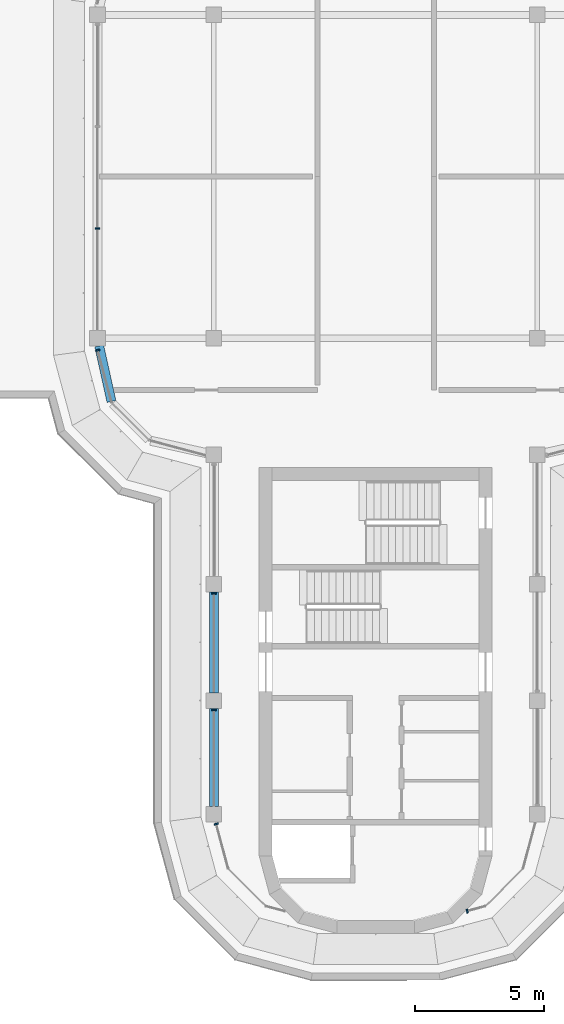
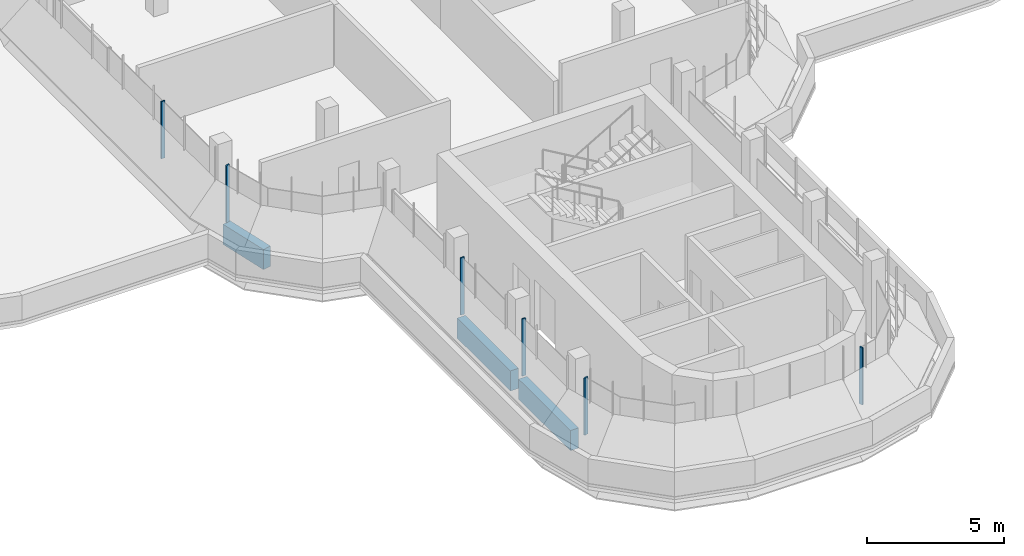
# One storey, part 2 of 13: 6 members, 3 beams, 5 elements without a shape of their own.
"""IFC4 building model written with IfcOpenShell, lengths in metres."""

import ifcopenshell
import ifcopenshell.guid

model = None  # the IFC model being written
_history = None  # IfcOwnerHistory: only IFC2X3 demands one
_inside = {}  # id of a spatial element -> (the spatial element, [elements in it])
_under = {}  # id of a project, library or spatial element -> (it, [spatial elements below it])
_declared = {}  # id of a project -> (the project, [libraries it declares])
_typed = {}  # id of a type object -> (the type object, [elements of that type])
_made_of = {}  # id of a material, layer set ... -> (it, [elements and type objects made of it])


def new_model(schema):
    """Start an empty IFC model of exactly this schema.

    Asked for "IFC4X3", IfcOpenShell would pick the latest addendum, in which some entities
    have other attributes; the version numbers below select the first issue.
    IFC2X3 requires an IfcOwnerHistory on every rooted entity: one is made here for all.
    """
    global model, _history
    if schema == "IFC4X3":
        model = ifcopenshell.file(schema_version=(4, 3, 0, 0))
    else:
        model = ifcopenshell.file(schema=schema)
    _inside.clear()
    _under.clear()
    _declared.clear()
    _typed.clear()
    _made_of.clear()
    _history = None
    if model.schema == "IFC2X3":
        org = make("IfcOrganization", Name="unknown")
        user = make(
            "IfcPersonAndOrganization",
            ThePerson=make("IfcPerson", FamilyName="unknown"),
            TheOrganization=org,
        )
        app = make(
            "IfcApplication",
            ApplicationDeveloper=org,
            Version="unknown",
            ApplicationFullName="unknown",
            ApplicationIdentifier="unknown",
        )
        _history = make(
            "IfcOwnerHistory",
            OwningUser=user,
            OwningApplication=app,
            ChangeAction="ADDED",
            CreationDate=0,
        )
    return model


def make(cls, **values):
    """One entity of the class cls with the attributes given. An attribute that is None is left unset."""
    return model.create_entity(
        cls, **{name: value for name, value in values.items() if value is not None}
    )


def rooted(cls, **values):
    """An entity with a GlobalId (a new one), such as an element, a storey or a relation."""
    return make(cls, GlobalId=ifcopenshell.guid.new(), OwnerHistory=_history, **values)


def si_unit(unit_type, name, prefix=None):
    """IfcSIUnit, for example si_unit("LENGTHUNIT", "METRE", prefix="MILLI")."""
    return make("IfcSIUnit", UnitType=unit_type, Prefix=prefix, Name=name)


def assignment(units):
    """IfcUnitAssignment: the units of a project."""
    return None if units is None else make("IfcUnitAssignment", Units=units)


def point(xyz):
    """IfcCartesianPoint."""
    return None if xyz is None else make("IfcCartesianPoint", Coordinates=xyz)


def direction(xyz):
    """IfcDirection."""
    return None if xyz is None else make("IfcDirection", DirectionRatios=xyz)


def frame(location, z_axis=None, x_axis=None):
    """IfcAxis2Placement3D, a coordinate frame: its origin and axes. An axis left out is left unset."""
    return make(
        "IfcAxis2Placement3D",
        Location=point(location),
        Axis=direction(z_axis),
        RefDirection=direction(x_axis),
    )


def frame_2d(location, x_axis=None):
    """IfcAxis2Placement2D, a coordinate frame in the plane: its origin and x axis."""
    return make(
        "IfcAxis2Placement2D", Location=point(location), RefDirection=direction(x_axis)
    )


def origin():
    """The frame at (0, 0, 0) with its axes left unset."""
    return frame((0.0, 0.0, 0.0))


def origin_2d():
    """The frame at (0, 0) in the plane with its x axis left unset."""
    return frame_2d((0.0, 0.0))


def place(relative_to, where):
    """IfcLocalPlacement: puts the frame where relative to a parent placement (None: the world)."""
    return make(
        "IfcLocalPlacement", PlacementRelTo=relative_to, RelativePlacement=where
    )


def context(
    kind, dimensions, precision=None, world=None, true_north=None, identifier=None
):
    """IfcGeometricRepresentationContext, for example the 3D "Model" context."""
    return make(
        "IfcGeometricRepresentationContext",
        ContextIdentifier=identifier,
        ContextType=kind,
        CoordinateSpaceDimension=dimensions,
        Precision=precision,
        WorldCoordinateSystem=world,
        TrueNorth=true_north,
    )


def subcontext(parent, identifier, kind, view, scale=None):
    """IfcGeometricRepresentationSubContext, for example "Body" below "Model"."""
    return make(
        "IfcGeometricRepresentationSubContext",
        ContextIdentifier=identifier,
        ContextType=kind,
        ParentContext=parent,
        TargetScale=scale,
        TargetView=view,
    )


def project(units=None, contexts=None):
    """IfcProject with its units and contexts."""
    return rooted(
        "IfcProject",
        Name="project",
        RepresentationContexts=contexts,
        UnitsInContext=assignment(units),
    )


def spatial(cls, under=None, at=None, **own):
    """A site, building, storey or space (cls), placed at a placement, below another one or the project."""
    s = rooted(cls, ObjectPlacement=at, **own)
    if under is not None:
        _under.setdefault(under.id(), (under, []))[1].append(s)
    return s


def polyline(points):
    """IfcPolyline through the points."""
    return make("IfcPolyline", Points=[point(p) for p in points])


def profile(cls, at=None, kind="AREA", **sizes):
    """A parametric profile (cls). Its sizes go by their IFC names, for example OverallWidth=200.0."""
    return make(cls, ProfileType=kind, Position=at, **sizes)


def rectangle(**sizes):
    """IfcRectangleProfileDef."""
    return profile("IfcRectangleProfileDef", **sizes)


def outline(outer, holes=None, kind="AREA"):
    """IfcArbitraryClosedProfileDef: a profile drawn as a closed curve; with holes, ...WithVoids."""
    if holes is None:
        return make("IfcArbitraryClosedProfileDef", ProfileType=kind, OuterCurve=outer)
    return make(
        "IfcArbitraryProfileDefWithVoids",
        ProfileType=kind,
        OuterCurve=outer,
        InnerCurves=holes,
    )


def extrude(swept, where, along, depth):
    """IfcExtrudedAreaSolid: the profile swept, set in the frame where, extruded along a direction by depth."""
    return make(
        "IfcExtrudedAreaSolid",
        SweptArea=swept,
        Position=where,
        ExtrudedDirection=direction(along),
        Depth=depth,
    )


def shape(context_of_items, identifier, shape_type, items):
    """IfcShapeRepresentation: the items that make up one representation, for example the "Body"."""
    return make(
        "IfcShapeRepresentation",
        ContextOfItems=context_of_items,
        RepresentationIdentifier=identifier,
        RepresentationType=shape_type,
        Items=items,
    )


def source(mapping_origin, context_of_items, identifier, shape_type, items):
    """IfcRepresentationMap: a shape defined once, which mapped items show again and again."""
    return make(
        "IfcRepresentationMap",
        MappingOrigin=mapping_origin,
        MappedRepresentation=shape(context_of_items, identifier, shape_type, items),
    )


def transform(
    local_origin,
    x_axis=None,
    y_axis=None,
    z_axis=None,
    scale=None,
    scale2=None,
    scale3=None,
    uniform=True,
):
    """IfcCartesianTransformationOperator3D, or its non-uniform kind. x_axis, y_axis, z_axis: its Axis1, 2, 3."""
    if uniform:
        return make(
            "IfcCartesianTransformationOperator3D",
            Axis1=direction(x_axis),
            Axis2=direction(y_axis),
            LocalOrigin=point(local_origin),
            Scale=scale,
            Axis3=direction(z_axis),
        )
    return make(
        "IfcCartesianTransformationOperator3DnonUniform",
        Axis1=direction(x_axis),
        Axis2=direction(y_axis),
        LocalOrigin=point(local_origin),
        Scale=scale,
        Axis3=direction(z_axis),
        Scale2=scale2,
        Scale3=scale3,
    )


def mapped(mapping_source, mapping_target):
    """IfcMappedItem: shows the shape of a source again, moved by a transform."""
    return make(
        "IfcMappedItem", MappingSource=mapping_source, MappingTarget=mapping_target
    )


def material(Name=None, Category=None):
    """IfcMaterial."""
    return make("IfcMaterial", Name=Name, Category=Category)


def material_profile(
    of_material, cross_section, Name=None, Category=None, Priority=None
):
    """IfcMaterialProfile: a cross section and its material."""
    return make(
        "IfcMaterialProfile",
        Name=Name,
        Material=of_material,
        Profile=cross_section,
        Priority=Priority,
        Category=Category,
    )


def profile_set(profiles, Name=None, composite=None):
    """IfcMaterialProfileSet."""
    return make(
        "IfcMaterialProfileSet",
        Name=Name,
        MaterialProfiles=profiles,
        CompositeProfile=composite,
    )


def made_of(thing, what):
    """Note that an element or type object is made of a material, layer set ...; save() writes the relation."""
    if what is not None:
        _made_of.setdefault(what.id(), (what, []))[1].append(thing)
    return thing


def type_object(cls, material=None, **own):
    """A type object (cls), such as IfcWallType, which elements share."""
    return made_of(rooted(cls, **own), material)


def element(
    cls,
    number,
    at=None,
    inside=None,
    cuts=None,
    type_object=None,
    material=None,
    context=None,
    identifier="Body",
    shape_type=None,
    held_by="IfcProductDefinitionShape",
    body=None,
    shapes=None,
    **own,
):
    """One element of the class cls, such as IfcWall. Its Tag is "e" and its number.

    at: its placement. inside: the storey or other place that contains it. cuts: it is an
    opening in that element (IfcRelVoidsElement). A single representation is given by context,
    identifier, shape_type and body (its items); several are given by shapes. held_by: the class
    of the entity that holds the representations. save() writes the other relations.
    """
    e = rooted(cls, Tag="e%d" % number, ObjectPlacement=at, **own)
    if body is not None:
        shapes = [shape(context, identifier, shape_type, body)]
    if shapes is not None:
        e.Representation = make(held_by, Representations=shapes)
    if inside is not None:
        _inside.setdefault(inside.id(), (inside, []))[1].append(e)
    if cuts is not None:
        rooted(
            "IfcRelVoidsElement", RelatingBuildingElement=cuts, RelatedOpeningElement=e
        )
    if type_object is not None:
        _typed.setdefault(type_object.id(), (type_object, []))[1].append(e)
    return made_of(e, material)


def aggregate(whole, parts):
    """IfcRelAggregates: a whole, such as a stair, and the parts it consists of."""
    return rooted("IfcRelAggregates", RelatingObject=whole, RelatedObjects=parts)


def save(model, path):
    """Write the relations noted so far, then the file.

    IfcRelAggregates (storeys below a building ...), IfcRelContainedInSpatialStructure (elements
    in a storey), IfcRelDefinesByType, IfcRelAssociatesMaterial and IfcRelDeclares: one each for
    every whole, place, type object, material and project.
    """
    for whole, parts in _under.values():
        aggregate(whole, parts)
    for where, things in _inside.values():
        rooted(
            "IfcRelContainedInSpatialStructure",
            RelatedElements=things,
            RelatingStructure=where,
        )
    for kind, things in _typed.values():
        rooted("IfcRelDefinesByType", RelatedObjects=things, RelatingType=kind)
    for what, things in _made_of.values():
        rooted("IfcRelAssociatesMaterial", RelatedObjects=things, RelatingMaterial=what)
    for by, libraries in _declared.values():
        rooted("IfcRelDeclares", RelatingContext=by, RelatedDefinitions=libraries)
    model.write(path)


model = new_model("IFC4")

# Units and contexts
model_context = context("Model", 3, precision=1e-05, world=origin(), true_north=direction((0.0, 1.0)))
body_context = subcontext(model_context, "Body", "Model", "MODEL_VIEW")
ifc_project = project(units=[si_unit("LENGTHUNIT", "METRE"), si_unit("AREAUNIT", "SQUARE_METRE"), si_unit("VOLUMEUNIT", "CUBIC_METRE"), si_unit("PLANEANGLEUNIT", "RADIAN"), si_unit("MASSUNIT", "GRAM", prefix="KILO")], contexts=[model_context])

# Site, building, storey
site_placement = place(None, origin())
site = spatial("IfcSite", under=ifc_project, at=site_placement, CompositionType="ELEMENT")
building_placement = place(site_placement, origin())
building = spatial("IfcBuilding", under=site, at=building_placement, Name="Zarbagh Exchange Tower", CompositionType="ELEMENT")
storey_placement = place(building_placement, frame((0.0, 0.0, 298.800048828125)))
storey = spatial("IfcBuildingStorey", under=building, at=storey_placement, Name="L73", CompositionType="ELEMENT", Elevation=298.800048828125)

# Beams
ifc_material_1 = material(Name="Concrete C40/50", Category="concrete")
ifc_material_profile = material_profile(ifc_material_1, rectangle(XDim=0.35009765625, YDim=0.89990234375, at=origin_2d()), Name="RC spandrel beam 350 x 900 C40/50")
ifc_profile_set = profile_set([ifc_material_profile], Name="Concrete C40/50")
beam_type = type_object("IfcBeamType", Name="RC spandrel beam 350 x 900 C40/50", PredefinedType="SPANDREL", material=ifc_profile_set)
beam_1_placement = place(storey_placement, frame((-6.25, -24.35009765625, -0.60009765625), z_axis=(0.0, 1.0, 0.0), x_axis=(-1.0, 0.0, 0.0)))
element("IfcBeam", 1, at=beam_1_placement, inside=storey, type_object=beam_type, Name="RC spandrel beam", PredefinedType="SPANDREL", context=body_context, shape_type="SweptSolid", body=[
    extrude(rectangle(XDim=0.35009765625, YDim=0.89990234375, at=origin_2d()), origin(), (0.0, 0.0, 1.0), 3.800048828125),
])
beam_2_placement = place(storey_placement, frame((-6.25, -19.949951171875, -0.60009765625), z_axis=(0.0, 1.0, 0.0), x_axis=(-1.0, 0.0, 0.0)))
element("IfcBeam", 2, at=beam_2_placement, inside=storey, type_object=beam_type, Name="RC spandrel beam", PredefinedType="SPANDREL", context=body_context, shape_type="SweptSolid", body=[
    extrude(rectangle(XDim=0.35009765625, YDim=0.89990234375, at=origin_2d()), origin(), (0.0, 0.0, 1.0), 3.89990234375),
])
beam_3_placement = place(storey_placement, frame((-10.2099609375, -8.69140625, -0.60009765625), z_axis=(-0.216025770228, 0.976387662047, 0.0), x_axis=(-0.976387662047, -0.216025770228, 0.0)))
element("IfcBeam", 3, at=beam_3_placement, inside=storey, type_object=beam_type, Name="RC spandrel beam", PredefinedType="SPANDREL", context=body_context, shape_type="SweptSolid", body=[
    extrude(rectangle(XDim=0.35009765625, YDim=0.89990234375, at=origin_2d()), origin(), (0.0, 0.0, 1.0), 2.200439453125),
])

# Curtain wall, member
ifc_material_2 = material(Name="Anodised aluminium frame and glazing", Category="aluminium")
curtain_wall_type = type_object("IfcCurtainWallType", Name="CWF Crown tier glazing", PredefinedType="NOTDEFINED", material=ifc_material_2)
curtain_wall_1_placement = place(storey_placement, origin())
curtain_wall_1 = element("IfcCurtainWall", 4, at=curtain_wall_1_placement, inside=storey, type_object=curtain_wall_type, Name="CWF01 curtain wall", PredefinedType="NOTDEFINED")
ifc_material_3 = material(Name="Anodised aluminium frame", Category="aluminium")
member_type = type_object("IfcMemberType", Name="MUF Mullion, anodised aluminium frame", PredefinedType="MULLION", material=ifc_material_3)
shared_shape = source(origin(), body_context, "Body", "SweptSolid", [
    extrude(outline(polyline([(0.0, -0.080078125), (0.06005859375, -0.080078125), (0.06005859375, 0.080078125), (0.0, 0.080078125), (0.0, -0.080078125)])), origin(), (0.0, 0.0, 1.0), 2.550048828125),
])
placement = place(storey_placement, origin())
member_1 = element("IfcMember", 5, at=placement, type_object=member_type, Name="CWF01 mullion 1.1", PredefinedType="MULLION", context=body_context, shape_type="MappedRepresentation", body=[
    mapped(shared_shape, transform((3.510009765625, -28.394775390625, 0.0), x_axis=(0.965924289636, 0.258824779902, 0.0), y_axis=(-0.258824779902, 0.965924289636, 0.0), z_axis=(0.0, 0.0, 1.0))),
])
aggregate(curtain_wall_1, [member_1])

curtain_wall_2_placement = place(storey_placement, origin())
curtain_wall_2 = element("IfcCurtainWall", 6, at=curtain_wall_2_placement, inside=storey, type_object=curtain_wall_type, Name="CWF48 curtain wall", PredefinedType="NOTDEFINED")
member_2 = element("IfcMember", 7, at=placement, type_object=member_type, Name="CWF48 mullion 1.3", PredefinedType="MULLION", context=body_context, shape_type="MappedRepresentation", body=[
    mapped(shared_shape, transform((-10.75, -1.969970703125, 0.0), x_axis=(0.0, -1.0, 0.0), y_axis=(1.0, 0.0, 0.0), z_axis=(0.0, 0.0, 1.0))),
])
aggregate(curtain_wall_2, [member_2])

curtain_wall_3_placement = place(storey_placement, origin())
curtain_wall_3 = element("IfcCurtainWall", 8, at=curtain_wall_3_placement, inside=storey, type_object=curtain_wall_type, Name="CWF40 curtain wall", PredefinedType="NOTDEFINED")
member_3 = element("IfcMember", 9, at=placement, type_object=member_type, Name="CWF40 mullion 1.1", PredefinedType="MULLION", context=body_context, shape_type="MappedRepresentation", body=[
    mapped(shared_shape, transform((-10.75, -6.68408203125, 0.0), x_axis=(0.258824779902, -0.965924289636, 0.0), y_axis=(0.965924289636, 0.258824779902, 0.0), z_axis=(0.0, 0.0, 1.0))),
])
aggregate(curtain_wall_3, [member_3])

# Curtain wall, members
curtain_wall_4_placement = place(storey_placement, origin())
curtain_wall_4 = element("IfcCurtainWall", 10, at=curtain_wall_4_placement, inside=storey, type_object=curtain_wall_type, Name="CWF43 curtain wall", PredefinedType="NOTDEFINED")
member_4 = element("IfcMember", 11, at=placement, type_object=member_type, Name="CWF43 mullion 2.1", PredefinedType="MULLION", context=body_context, shape_type="MappedRepresentation", body=[
    mapped(shared_shape, transform((-6.25, -16.090087890625, 0.0), x_axis=(0.0, -1.0, 0.0), y_axis=(1.0, 0.0, 0.0), z_axis=(0.0, 0.0, 1.0))),
])
member_5 = element("IfcMember", 12, at=placement, type_object=member_type, Name="CWF43 mullion 3.1", PredefinedType="MULLION", context=body_context, shape_type="MappedRepresentation", body=[
    mapped(shared_shape, transform((-6.25, -20.590087890625, 0.0), x_axis=(0.0, -1.0, 0.0), y_axis=(1.0, 0.0, 0.0), z_axis=(0.0, 0.0, 1.0))),
])
aggregate(curtain_wall_4, [member_4, member_5])

# Curtain wall, member
curtain_wall_5_placement = place(storey_placement, origin())
curtain_wall_5 = element("IfcCurtainWall", 13, at=curtain_wall_5_placement, inside=storey, type_object=curtain_wall_type, Name="CWF44 curtain wall", PredefinedType="NOTDEFINED")
member_6 = element("IfcMember", 14, at=placement, type_object=member_type, Name="CWF44 mullion 1.1", PredefinedType="MULLION", context=body_context, shape_type="MappedRepresentation", body=[
    mapped(shared_shape, transform((-6.16796875, -24.989990234375, 0.0), x_axis=(0.258824779902, -0.965924289636, 0.0), y_axis=(0.965924289636, 0.258824779902, 0.0), z_axis=(0.0, 0.0, 1.0))),
])
aggregate(curtain_wall_5, [member_6])

save(model, "model.ifc")
